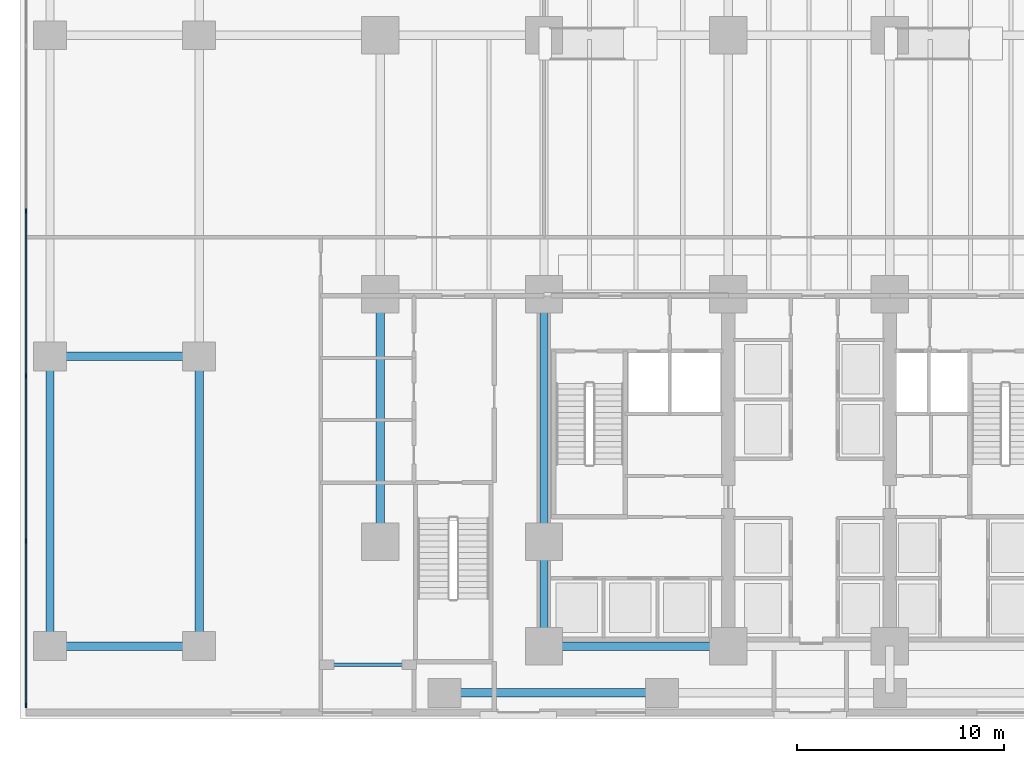
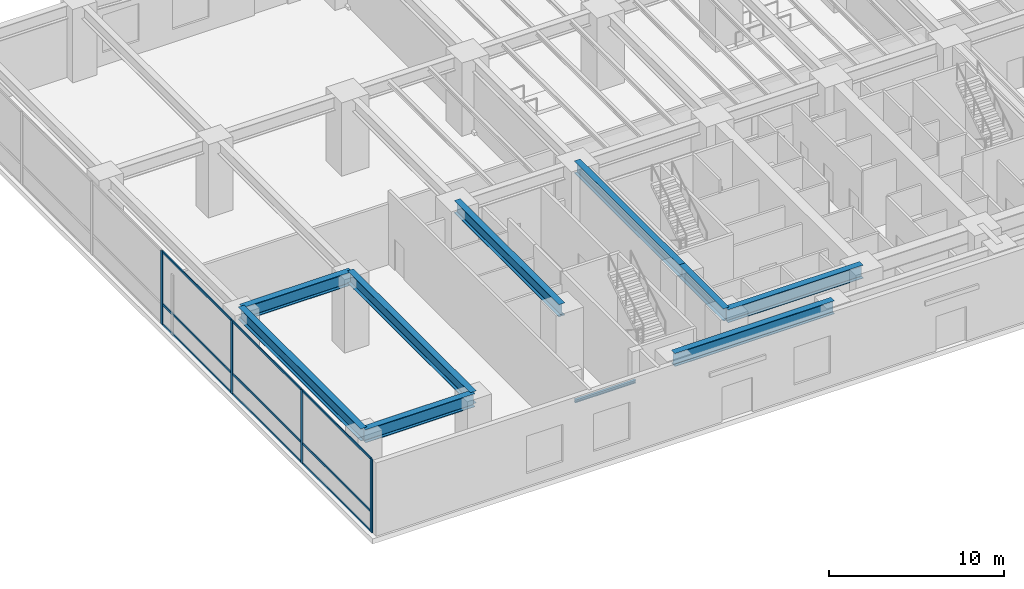
# One storey, part 2 of 19: 13 members, 10 beams, 1 element without a shape of its own.
"""IFC4 building model written with IfcOpenShell, lengths in metres."""

from ifc_helpers import new_model, si_unit, direction, frame, origin, origin_2d, place, context, subcontext, project, spatial, rectangle, i_section, extrude, material, layer, layer_set, material_profile, profile_set, type_object, element, aggregate, save


model = new_model("IFC4")

# Units and contexts
model_context = context("Model", 3, precision=1e-05, world=origin(), true_north=direction((0.0, 1.0)))
body_context = subcontext(model_context, "Body", "Model", "MODEL_VIEW")
ifc_project = project(units=[si_unit("LENGTHUNIT", "METRE"), si_unit("AREAUNIT", "SQUARE_METRE"), si_unit("VOLUMEUNIT", "CUBIC_METRE"), si_unit("PLANEANGLEUNIT", "RADIAN"), si_unit("MASSUNIT", "GRAM", prefix="KILO")], contexts=[model_context])

# Site, building, storey
site_placement = place(None, origin())
site = spatial("IfcSite", under=ifc_project, at=site_placement, CompositionType="ELEMENT")
building_placement = place(site_placement, origin())
building = spatial("IfcBuilding", under=site, at=building_placement, Name="Qalmaran Belvedere Hotel", CompositionType="ELEMENT")
storey_placement = place(building_placement, origin())
storey = spatial("IfcBuildingStorey", under=building, at=storey_placement, Name="L00", CompositionType="ELEMENT", Elevation=0.0)

# Beams
ifc_material_1 = material(Name="Steel S355JR", Category="steel")
ifc_material_profile_1 = material_profile(ifc_material_1, i_section(OverallWidth=0.1650390625, OverallDepth=0.200927734375, WebThickness=0.006103515625, FlangeThickness=0.01025390625, FilletRadius=0.010009765625, at=origin_2d()), Name="W200X36")
ifc_profile_set_1 = profile_set([ifc_material_profile_1], Name="Steel S355JR")
beam_type_1 = type_object("IfcBeamType", Name="BM-LIN-W200X36", PredefinedType="LINTEL", material=ifc_profile_set_1)
beam_1_placement = place(storey_placement, frame((9.800048828125, 2.60009765625, 2.85009765625), z_axis=(1.0, 0.0, 0.0), x_axis=(0.0, 1.0, 0.0)))
element("IfcBeam", 1, at=beam_1_placement, inside=storey, type_object=beam_type_1, Name="L00 Colonnade Opening Lintel 01", PredefinedType="LINTEL", context=body_context, shape_type="SweptSolid", body=[
    extrude(i_section(OverallWidth=0.1650390625, OverallDepth=0.200927734375, WebThickness=0.006103515625, FlangeThickness=0.01025390625, FilletRadius=0.010009765625, at=origin_2d()), origin(), (0.0, 0.0, 1.0), 4.0),
])
ifc_material_profile_2 = material_profile(ifc_material_1, i_section(OverallWidth=0.419921875, OverallDepth=0.9208984375, WebThickness=0.021240234375, FlangeThickness=0.03662109375, FilletRadius=0.02392578125, at=origin_2d()), Name="W920X387")
ifc_profile_set_2 = profile_set([ifc_material_profile_2], Name="Steel S355JR")
beam_type_2 = type_object("IfcBeamType", Name="BM-PG1-W920X387", PredefinedType="USERDEFINED", material=ifc_profile_set_2)
beam_2_placement = place(storey_placement, frame((15.5, 1.25, 4.639404296875), z_axis=(1.0, 0.0, 0.0), x_axis=(0.0, 1.0, 0.0)))
element("IfcBeam", 2, at=beam_2_placement, inside=storey, type_object=beam_type_2, Name="L00 Podium Primary Girder GX01", ObjectType="GIRDER", PredefinedType="USERDEFINED", context=body_context, shape_type="SweptSolid", body=[
    extrude(i_section(OverallWidth=0.419921875, OverallDepth=0.9208984375, WebThickness=0.021240234375, FlangeThickness=0.03662109375, FilletRadius=0.02392578125, at=origin_2d()), origin(), (0.0, 0.0, 1.0), 10.5),
])
beam_3_placement = place(storey_placement, frame((-3.550048828125, 3.5, 4.639404296875), z_axis=(1.0, 0.0, 0.0), x_axis=(0.0, 1.0, 0.0)))
element("IfcBeam", 3, at=beam_3_placement, inside=storey, type_object=beam_type_2, Name="L00 Podium Primary Girder GX05", ObjectType="GIRDER", PredefinedType="USERDEFINED", context=body_context, shape_type="SweptSolid", body=[
    extrude(i_section(OverallWidth=0.419921875, OverallDepth=0.9208984375, WebThickness=0.021240234375, FlangeThickness=0.03662109375, FilletRadius=0.02392578125, at=origin_2d()), origin(), (0.0, 0.0, 1.0), 7.199951171875),
])
beam_4_placement = place(storey_placement, frame((20.300048828125, 3.5, 4.639404296875), z_axis=(1.0, 0.0, 0.0), x_axis=(0.0, 1.0, 0.0)))
element("IfcBeam", 4, at=beam_4_placement, inside=storey, type_object=beam_type_2, Name="L00 Podium Primary Girder GX07", ObjectType="GIRDER", PredefinedType="USERDEFINED", context=body_context, shape_type="SweptSolid", body=[
    extrude(i_section(OverallWidth=0.419921875, OverallDepth=0.9208984375, WebThickness=0.021240234375, FlangeThickness=0.03662109375, FilletRadius=0.02392578125, at=origin_2d()), origin(), (0.0, 0.0, 1.0), 8.89990234375),
])
beam_5_placement = place(storey_placement, frame((-3.550048828125, 17.5, 4.639404296875), z_axis=(1.0, 0.0, 0.0), x_axis=(0.0, 1.0, 0.0)))
element("IfcBeam", 5, at=beam_5_placement, inside=storey, type_object=beam_type_2, Name="L00 Podium Primary Girder GX15", ObjectType="GIRDER", PredefinedType="USERDEFINED", context=body_context, shape_type="SweptSolid", body=[
    extrude(i_section(OverallWidth=0.419921875, OverallDepth=0.9208984375, WebThickness=0.021240234375, FlangeThickness=0.03662109375, FilletRadius=0.02392578125, at=origin_2d()), origin(), (0.0, 0.0, 1.0), 7.199951171875),
])
ifc_material_profile_3 = material_profile(ifc_material_1, i_section(OverallWidth=0.39990234375, OverallDepth=0.85498046875, WebThickness=0.018310546875, FlangeThickness=0.029296875, FilletRadius=0.02392578125, at=origin_2d()), Name="W840X299")
ifc_profile_set_3 = profile_set([ifc_material_profile_3], Name="Steel S355JR")
beam_type_3 = type_object("IfcBeamType", Name="BM-PG3-W840X299", PredefinedType="USERDEFINED", material=ifc_profile_set_3)
for number, where, z_axis, x_axis, name in (
    (6, (-3.550048828125, 3.5, 4.672607421875), (0.0, 1.0, 0.0), (-1.0, 0.0, 0.0), "L00 Podium Transverse Girder GY45"),
    (7, (3.64990234375, 3.5, 4.672607421875), (0.0, 1.0, 0.0), (-1.0, 0.0, 0.0), "L00 Podium Transverse Girder GY48"),
):
    element("IfcBeam", number, at=place(storey_placement, frame(where, z_axis=z_axis, x_axis=x_axis)), inside=storey, type_object=beam_type_3, Name=name, ObjectType="GIRDER", PredefinedType="USERDEFINED", context=body_context, shape_type="SweptSolid", body=[
        extrude(i_section(OverallWidth=0.39990234375, OverallDepth=0.85498046875, WebThickness=0.018310546875, FlangeThickness=0.029296875, FilletRadius=0.02392578125, at=origin_2d()), origin(), (0.0, 0.0, 1.0), 14.0),
    ])
beam_6_placement = place(storey_placement, frame((12.39990234375, 8.550048828125, 4.672607421875), z_axis=(0.0, 1.0, 0.0), x_axis=(-1.0, 0.0, 0.0)))
element("IfcBeam", 8, at=beam_6_placement, inside=storey, type_object=beam_type_3, Name="L00 Podium Transverse Girder GY51", ObjectType="GIRDER", PredefinedType="USERDEFINED", context=body_context, shape_type="SweptSolid", body=[
    extrude(i_section(OverallWidth=0.39990234375, OverallDepth=0.85498046875, WebThickness=0.018310546875, FlangeThickness=0.029296875, FilletRadius=0.02392578125, at=origin_2d()), origin(), (0.0, 0.0, 1.0), 11.949951171875),
])
beam_7_placement = place(storey_placement, frame((20.300048828125, 3.5, 4.672607421875), z_axis=(0.0, 1.0, 0.0), x_axis=(-1.0, 0.0, 0.0)))
element("IfcBeam", 9, at=beam_7_placement, inside=storey, type_object=beam_type_3, Name="L00 Podium Transverse Girder GY53", ObjectType="GIRDER", PredefinedType="USERDEFINED", context=body_context, shape_type="SweptSolid", body=[
    extrude(i_section(OverallWidth=0.39990234375, OverallDepth=0.85498046875, WebThickness=0.018310546875, FlangeThickness=0.029296875, FilletRadius=0.02392578125, at=origin_2d()), origin(), (0.0, 0.0, 1.0), 5.050048828125),
])
beam_8_placement = place(storey_placement, frame((20.300048828125, 8.550048828125, 4.672607421875), z_axis=(0.0, 1.0, 0.0), x_axis=(-1.0, 0.0, 0.0)))
element("IfcBeam", 10, at=beam_8_placement, inside=storey, type_object=beam_type_3, Name="L00 Podium Transverse Girder GY54", ObjectType="GIRDER", PredefinedType="USERDEFINED", context=body_context, shape_type="SweptSolid", body=[
    extrude(i_section(OverallWidth=0.39990234375, OverallDepth=0.85498046875, WebThickness=0.018310546875, FlangeThickness=0.029296875, FilletRadius=0.02392578125, at=origin_2d()), origin(), (0.0, 0.0, 1.0), 11.949951171875),
])

# Curtain wall, members
ifc_material_2 = material(Name="Anodised Bronze Aluminium", Category="aluminium")
ifc_layer = layer(ifc_material_2, 0.219970703125, Name="Anodised Bronze Aluminium")
ifc_layer_set = layer_set([ifc_layer], Name="Anodised Bronze Aluminium")
curtain_wall_type = type_object("IfcCurtainWallType", Name="CW1-PODIUM-BRONZE", PredefinedType="NOTDEFINED", material=ifc_layer_set)
curtain_wall_placement = place(storey_placement, origin())
curtain_wall = element("IfcCurtainWall", 11, at=curtain_wall_placement, inside=storey, type_object=curtain_wall_type, Name="L00 Curtain Wall CW1", PredefinedType="NOTDEFINED")
ifc_material_profile_4 = material_profile(ifc_material_2, rectangle(XDim=0.074951171875, YDim=0.219970703125, at=origin_2d()), Name="CWM75X220")
ifc_profile_set_4 = profile_set([ifc_material_profile_4], Name="Anodised Bronze Aluminium")
member_type_1 = type_object("IfcMemberType", Name="CWM-75X220", PredefinedType="MULLION", material=ifc_profile_set_4)
member_1_placement = place(storey_placement, frame((-4.699951171875, 24.514892578125, 0.0), z_axis=(0.0, 0.0, 1.0), x_axis=(1.0, 0.0, 0.0)))
member_1 = element("IfcMember", 12, at=member_1_placement, type_object=member_type_1, Name="CW1 mullion 4", PredefinedType="MULLION", context=body_context, shape_type="SweptSolid", body=[
    extrude(rectangle(XDim=0.074951171875, YDim=0.219970703125, at=origin_2d()), origin(), (0.0, 0.0, 1.0), 5.10009765625),
])
member_2_placement = place(storey_placement, frame((-4.699951171875, 16.543212890625, 0.0), z_axis=(0.0, 0.0, 1.0), x_axis=(1.0, 0.0, 0.0)))
member_2 = element("IfcMember", 13, at=member_2_placement, type_object=member_type_1, Name="CW1 mullion 5", PredefinedType="MULLION", context=body_context, shape_type="SweptSolid", body=[
    extrude(rectangle(XDim=0.074951171875, YDim=0.219970703125, at=origin_2d()), origin(), (0.0, 0.0, 1.0), 5.10009765625),
])
member_3_placement = place(storey_placement, frame((-4.699951171875, 8.57177734375, 0.0), z_axis=(0.0, 0.0, 1.0), x_axis=(1.0, 0.0, 0.0)))
member_3 = element("IfcMember", 14, at=member_3_placement, type_object=member_type_1, Name="CW1 mullion 6", PredefinedType="MULLION", context=body_context, shape_type="SweptSolid", body=[
    extrude(rectangle(XDim=0.074951171875, YDim=0.219970703125, at=origin_2d()), origin(), (0.0, 0.0, 1.0), 5.10009765625),
])
member_4_placement = place(storey_placement, frame((-4.699951171875, 0.637451171875, 0.0), z_axis=(0.0, 0.0, 1.0), x_axis=(1.0, 0.0, 0.0)))
member_4 = element("IfcMember", 15, at=member_4_placement, type_object=member_type_1, Name="CW1 mullion 7", PredefinedType="MULLION", context=body_context, shape_type="SweptSolid", body=[
    extrude(rectangle(XDim=0.074951171875, YDim=0.219970703125, at=origin_2d()), origin(), (0.0, 0.0, 1.0), 5.10009765625),
])
ifc_material_profile_5 = material_profile(ifc_material_2, rectangle(XDim=0.070068359375, YDim=0.14990234375, at=origin_2d()), Name="CWT70X150")
ifc_profile_set_5 = profile_set([ifc_material_profile_5], Name="Anodised Bronze Aluminium")
member_type_2 = type_object("IfcMemberType", Name="CWT-70X150", PredefinedType="USERDEFINED", material=ifc_profile_set_5)
member_5_placement = place(storey_placement, frame((-4.699951171875, 24.4775390625, 0.034912109375), z_axis=(0.0, -1.0, 0.0), x_axis=(1.0, 0.0, 0.0)))
member_5 = element("IfcMember", 16, at=member_5_placement, type_object=member_type_2, Name="CW1 transom 4.1", ObjectType="TRANSOM", PredefinedType="USERDEFINED", context=body_context, shape_type="SweptSolid", body=[
    extrude(rectangle(XDim=0.070068359375, YDim=0.14990234375, at=origin_2d()), origin(), (0.0, 0.0, 1.0), 7.896728515625),
])
member_6_placement = place(storey_placement, frame((-4.699951171875, 24.4775390625, 1.427978515625), z_axis=(0.0, -1.0, 0.0), x_axis=(1.0, 0.0, 0.0)))
member_6 = element("IfcMember", 17, at=member_6_placement, type_object=member_type_2, Name="CW1 transom 4.2", ObjectType="TRANSOM", PredefinedType="USERDEFINED", context=body_context, shape_type="SweptSolid", body=[
    extrude(rectangle(XDim=0.070068359375, YDim=0.14990234375, at=origin_2d()), origin(), (0.0, 0.0, 1.0), 7.896728515625),
])
member_7_placement = place(storey_placement, frame((-4.699951171875, 24.4775390625, 5.06494140625), z_axis=(0.0, -1.0, 0.0), x_axis=(1.0, 0.0, 0.0)))
member_7 = element("IfcMember", 18, at=member_7_placement, type_object=member_type_2, Name="CW1 transom 4.3", ObjectType="TRANSOM", PredefinedType="USERDEFINED", context=body_context, shape_type="SweptSolid", body=[
    extrude(rectangle(XDim=0.070068359375, YDim=0.14990234375, at=origin_2d()), origin(), (0.0, 0.0, 1.0), 7.896728515625),
])
member_8_placement = place(storey_placement, frame((-4.699951171875, 16.505859375, 0.034912109375), z_axis=(0.0, -1.0, 0.0), x_axis=(1.0, 0.0, 0.0)))
member_8 = element("IfcMember", 19, at=member_8_placement, type_object=member_type_2, Name="CW1 transom 5.1", ObjectType="TRANSOM", PredefinedType="USERDEFINED", context=body_context, shape_type="SweptSolid", body=[
    extrude(rectangle(XDim=0.070068359375, YDim=0.14990234375, at=origin_2d()), origin(), (0.0, 0.0, 1.0), 7.896728515625),
])
member_9_placement = place(storey_placement, frame((-4.699951171875, 16.505859375, 1.427978515625), z_axis=(0.0, -1.0, 0.0), x_axis=(1.0, 0.0, 0.0)))
member_9 = element("IfcMember", 20, at=member_9_placement, type_object=member_type_2, Name="CW1 transom 5.2", ObjectType="TRANSOM", PredefinedType="USERDEFINED", context=body_context, shape_type="SweptSolid", body=[
    extrude(rectangle(XDim=0.070068359375, YDim=0.14990234375, at=origin_2d()), origin(), (0.0, 0.0, 1.0), 7.896728515625),
])
member_10_placement = place(storey_placement, frame((-4.699951171875, 16.505859375, 5.06494140625), z_axis=(0.0, -1.0, 0.0), x_axis=(1.0, 0.0, 0.0)))
member_10 = element("IfcMember", 21, at=member_10_placement, type_object=member_type_2, Name="CW1 transom 5.3", ObjectType="TRANSOM", PredefinedType="USERDEFINED", context=body_context, shape_type="SweptSolid", body=[
    extrude(rectangle(XDim=0.070068359375, YDim=0.14990234375, at=origin_2d()), origin(), (0.0, 0.0, 1.0), 7.896728515625),
])
member_11_placement = place(storey_placement, frame((-4.699951171875, 8.5341796875, 0.034912109375), z_axis=(0.0, -1.0, 0.0), x_axis=(1.0, 0.0, 0.0)))
member_11 = element("IfcMember", 22, at=member_11_placement, type_object=member_type_2, Name="CW1 transom 6.1", ObjectType="TRANSOM", PredefinedType="USERDEFINED", context=body_context, shape_type="SweptSolid", body=[
    extrude(rectangle(XDim=0.070068359375, YDim=0.14990234375, at=origin_2d()), origin(), (0.0, 0.0, 1.0), 7.859130859375),
])
member_12_placement = place(storey_placement, frame((-4.699951171875, 8.5341796875, 1.427978515625), z_axis=(0.0, -1.0, 0.0), x_axis=(1.0, 0.0, 0.0)))
member_12 = element("IfcMember", 23, at=member_12_placement, type_object=member_type_2, Name="CW1 transom 6.2", ObjectType="TRANSOM", PredefinedType="USERDEFINED", context=body_context, shape_type="SweptSolid", body=[
    extrude(rectangle(XDim=0.070068359375, YDim=0.14990234375, at=origin_2d()), origin(), (0.0, 0.0, 1.0), 7.859130859375),
])
member_13_placement = place(storey_placement, frame((-4.699951171875, 8.5341796875, 5.06494140625), z_axis=(0.0, -1.0, 0.0), x_axis=(1.0, 0.0, 0.0)))
member_13 = element("IfcMember", 24, at=member_13_placement, type_object=member_type_2, Name="CW1 transom 6.3", ObjectType="TRANSOM", PredefinedType="USERDEFINED", context=body_context, shape_type="SweptSolid", body=[
    extrude(rectangle(XDim=0.070068359375, YDim=0.14990234375, at=origin_2d()), origin(), (0.0, 0.0, 1.0), 7.859130859375),
])
aggregate(curtain_wall, [member_1, member_2, member_3, member_4, member_5, member_6, member_7, member_8, member_9, member_10, member_11, member_12, member_13])

save(model, "model.ifc")
